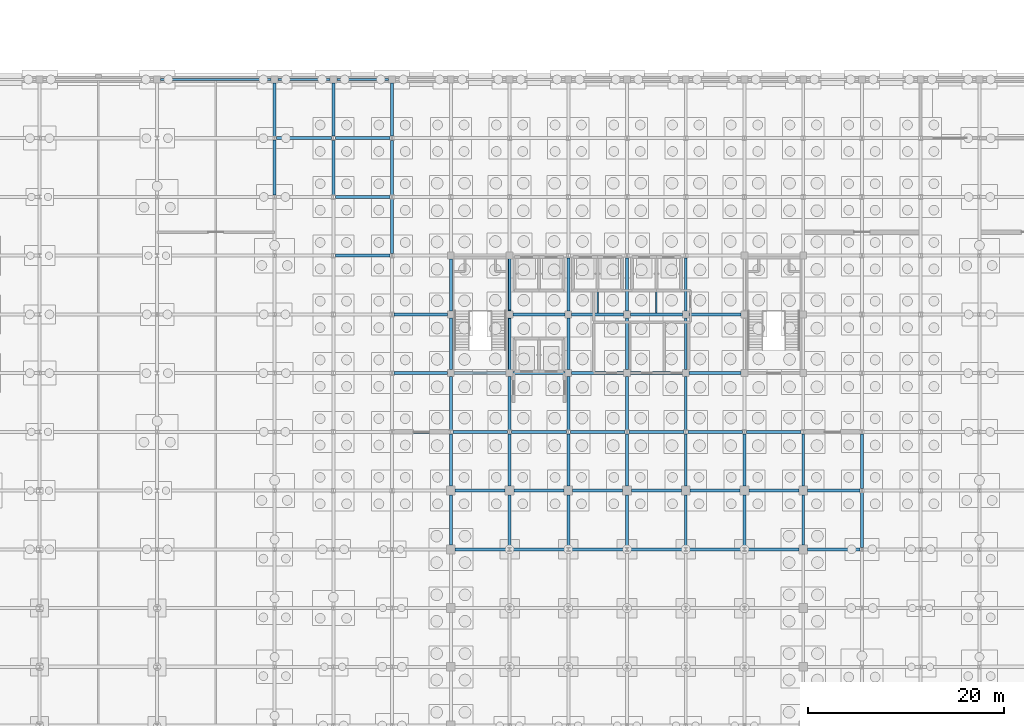
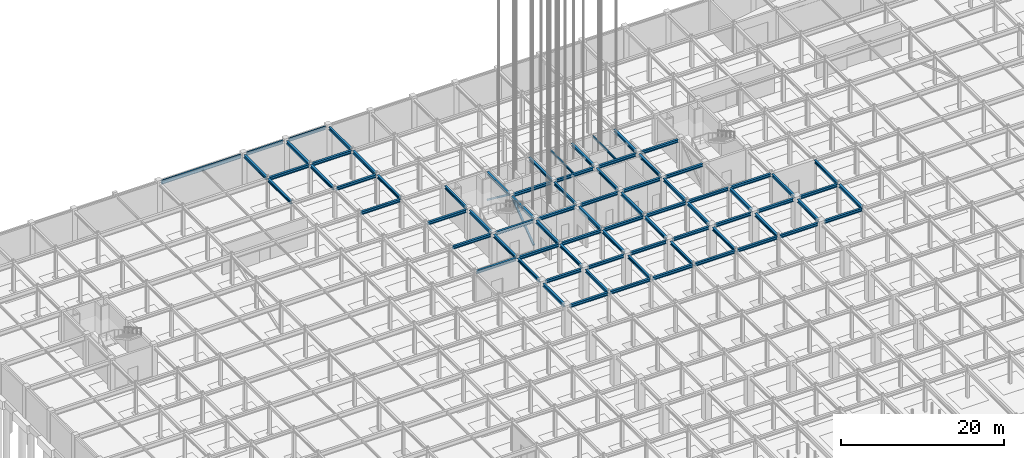
# One storey, part 38 of 69: 79 beams, 2 members.
"""IFC4 building model written with IfcOpenShell, lengths in metres."""

from ifc_helpers import new_model, si_unit, direction, frame, origin, origin_2d, place, context, subcontext, project, spatial, hollow_rectangle, i_section, extrude, material, material_profile, profile_set, type_object, element, save


model = new_model("IFC4")

# Units and contexts
model_context = context("Model", 3, precision=1e-05, world=origin(), true_north=direction((0.0, 1.0)))
body_context = subcontext(model_context, "Body", "Model", "MODEL_VIEW")
ifc_project = project(units=[si_unit("LENGTHUNIT", "METRE"), si_unit("AREAUNIT", "SQUARE_METRE"), si_unit("VOLUMEUNIT", "CUBIC_METRE"), si_unit("PLANEANGLEUNIT", "RADIAN"), si_unit("MASSUNIT", "GRAM", prefix="KILO")], contexts=[model_context])

# Site, building, storey
site_placement = place(None, origin())
site = spatial("IfcSite", under=ifc_project, at=site_placement, CompositionType="ELEMENT")
building_placement = place(site_placement, origin())
building = spatial("IfcBuilding", under=site, at=building_placement, Name="Zlatovratsky Civic Hall", CompositionType="ELEMENT")
storey_placement = place(building_placement, frame((0.0, 0.0, -4.800048828125)))
storey = spatial("IfcBuildingStorey", under=building, at=storey_placement, Name="B1", CompositionType="ELEMENT", Elevation=-4.800048828125)

# Beams
ifc_material = material(Name="Steel S355", Category="steel")
ifc_material_profile_1 = material_profile(ifc_material, i_section(OverallWidth=0.198974609375, OverallDepth=0.491943359375, WebThickness=0.0087890625, FlangeThickness=0.011962890625, FilletRadius=0.01611328125, at=origin_2d()), Name="50B1")
ifc_profile_set_1 = profile_set([ifc_material_profile_1], Name="Steel S355")
beam_type_1 = type_object("IfcBeamType", Name="Beam_Spandrel_50B1", PredefinedType="SPANDREL", material=ifc_profile_set_1)
for number, where, z_axis, x_axis, name in (
    (1, (48.35009765625, 114.0, 4.234130859375), (1.0, 0.0, 0.0), (0.0, 1.0, 0.0), "BM-0366"),
    (2, (54.35009765625, 114.0, 4.234130859375), (1.0, 0.0, 0.0), (0.0, 1.0, 0.0), "BM-0367"),
):
    element("IfcBeam", number, at=place(storey_placement, frame(where, z_axis=z_axis, x_axis=x_axis)), inside=storey, type_object=beam_type_1, Name=name, PredefinedType="SPANDREL", context=body_context, shape_type="SweptSolid", body=[
        extrude(i_section(OverallWidth=0.198974609375, OverallDepth=0.491943359375, WebThickness=0.0087890625, FlangeThickness=0.011962890625, FilletRadius=0.01611328125, at=origin_2d()), origin(), (0.0, 0.0, 1.0), 5.2998046875),
    ])
ifc_material_profile_2 = material_profile(ifc_material, i_section(OverallWidth=0.198974609375, OverallDepth=0.593017578125, WebThickness=0.010498046875, FlangeThickness=0.014892578125, FilletRadius=0.01806640625, at=origin_2d()), Name="60B1")
ifc_profile_set_2 = profile_set([ifc_material_profile_2], Name="Steel S355")
beam_type_2 = type_object("IfcBeamType", Name="Beam_Spandrel_60B1", PredefinedType="SPANDREL", material=ifc_profile_set_2)
beam_1_placement = place(storey_placement, frame((36.35009765625, 114.0, 4.18359375), z_axis=(1.0, 0.0, 0.0), x_axis=(0.0, 1.0, 0.0)))
element("IfcBeam", 3, at=beam_1_placement, inside=storey, type_object=beam_type_2, Name="BM-0365", PredefinedType="SPANDREL", context=body_context, shape_type="SweptSolid", body=[
    extrude(i_section(OverallWidth=0.198974609375, OverallDepth=0.593017578125, WebThickness=0.010498046875, FlangeThickness=0.014892578125, FilletRadius=0.01806640625, at=origin_2d()), origin(), (0.0, 0.0, 1.0), 11.2998046875),
])
ifc_material_profile_3 = material_profile(ifc_material, i_section(OverallWidth=0.300048828125, OverallDepth=0.43994140625, WebThickness=0.010986328125, FlangeThickness=0.01806640625, FilletRadius=0.02197265625, at=origin_2d()), Name="45Sh1")
ifc_profile_set_3 = profile_set([ifc_material_profile_3], Name="Steel S355")
beam_type_3 = type_object("IfcBeamType", Name="Beam_TowerLow_45Sh1", PredefinedType="BEAM", material=ifc_profile_set_3)
beam_2_placement = place(storey_placement, frame((66.449951171875, 66.0, 4.260009765625), z_axis=(1.0, 0.0, 0.0), x_axis=(0.0, 1.0, 0.0)))
element("IfcBeam", 4, at=beam_2_placement, inside=storey, type_object=beam_type_3, Name="BM-0197", PredefinedType="BEAM", context=body_context, shape_type="SweptSolid", body=[
    extrude(i_section(OverallWidth=0.300048828125, OverallDepth=0.43994140625, WebThickness=0.010986328125, FlangeThickness=0.01806640625, FilletRadius=0.02197265625, at=origin_2d()), origin(), (0.0, 0.0, 1.0), 5.375),
])
for number, where, z_axis, x_axis, name in (
    (5, (72.175048828125, 66.0, 4.260009765625), (1.0, 0.0, 0.0), (0.0, 1.0, 0.0), "BM-0198"),
    (6, (78.175048828125, 66.0, 4.260009765625), (1.0, 0.0, 0.0), (0.0, 1.0, 0.0), "BM-0199"),
    (7, (84.175048828125, 66.0, 4.260009765625), (1.0, 0.0, 0.0), (0.0, 1.0, 0.0), "BM-0200"),
    (8, (90.175048828125, 66.0, 4.260009765625), (1.0, 0.0, 0.0), (0.0, 1.0, 0.0), "BM-0201"),
):
    element("IfcBeam", number, at=place(storey_placement, frame(where, z_axis=z_axis, x_axis=x_axis)), inside=storey, type_object=beam_type_3, Name=name, PredefinedType="BEAM", context=body_context, shape_type="SweptSolid", body=[
        extrude(i_section(OverallWidth=0.300048828125, OverallDepth=0.43994140625, WebThickness=0.010986328125, FlangeThickness=0.01806640625, FilletRadius=0.02197265625, at=origin_2d()), origin(), (0.0, 0.0, 1.0), 5.64990234375),
    ])
for number, where, z_axis, x_axis, name in (
    (9, (96.175048828125, 66.0, 4.260009765625), (1.0, 0.0, 0.0), (0.0, 1.0, 0.0), "BM-0202"),
    (10, (102.449951171875, 66.0, 4.260009765625), (1.0, 0.0, 0.0), (0.0, 1.0, 0.0), "BM-0203"),
):
    element("IfcBeam", number, at=place(storey_placement, frame(where, z_axis=z_axis, x_axis=x_axis)), inside=storey, type_object=beam_type_3, Name=name, PredefinedType="BEAM", context=body_context, shape_type="SweptSolid", body=[
        extrude(i_section(OverallWidth=0.300048828125, OverallDepth=0.43994140625, WebThickness=0.010986328125, FlangeThickness=0.01806640625, FilletRadius=0.02197265625, at=origin_2d()), origin(), (0.0, 0.0, 1.0), 5.375),
    ])
for number, where, z_axis, x_axis, name in (
    (11, (66.449951171875, 72.0, 4.260009765625), (1.0, 0.0, 0.0), (0.0, 1.0, 0.0), "BM-0219"),
    (12, (72.449951171875, 72.0, 4.260009765625), (1.0, 0.0, 0.0), (0.0, 1.0, 0.0), "BM-0220"),
    (13, (78.449951171875, 72.0, 4.260009765625), (1.0, 0.0, 0.0), (0.0, 1.0, 0.0), "BM-0221"),
    (14, (84.449951171875, 72.0, 4.260009765625), (1.0, 0.0, 0.0), (0.0, 1.0, 0.0), "BM-0222"),
    (15, (90.449951171875, 72.0, 4.260009765625), (1.0, 0.0, 0.0), (0.0, 1.0, 0.0), "BM-0223"),
    (16, (96.449951171875, 72.0, 4.260009765625), (1.0, 0.0, 0.0), (0.0, 1.0, 0.0), "BM-0224"),
):
    element("IfcBeam", number, at=place(storey_placement, frame(where, z_axis=z_axis, x_axis=x_axis)), inside=storey, type_object=beam_type_3, Name=name, PredefinedType="BEAM", context=body_context, shape_type="SweptSolid", body=[
        extrude(i_section(OverallWidth=0.300048828125, OverallDepth=0.43994140625, WebThickness=0.010986328125, FlangeThickness=0.01806640625, FilletRadius=0.02197265625, at=origin_2d()), origin(), (0.0, 0.0, 1.0), 5.10009765625),
    ])
beam_3_placement = place(storey_placement, frame((102.449951171875, 72.0, 4.260009765625), z_axis=(1.0, 0.0, 0.0), x_axis=(0.0, 1.0, 0.0)))
element("IfcBeam", 17, at=beam_3_placement, inside=storey, type_object=beam_type_3, Name="BM-0225", PredefinedType="BEAM", context=body_context, shape_type="SweptSolid", body=[
    extrude(i_section(OverallWidth=0.300048828125, OverallDepth=0.43994140625, WebThickness=0.010986328125, FlangeThickness=0.01806640625, FilletRadius=0.02197265625, at=origin_2d()), origin(), (0.0, 0.0, 1.0), 5.345458984375),
])
for number, where, z_axis, x_axis, name in (
    (18, (60.20458984375, 78.0, 4.260009765625), (1.0, 0.0, 0.0), (0.0, 1.0, 0.0), "BM-0240"),
    (19, (66.20458984375, 78.0, 4.260009765625), (1.0, 0.0, 0.0), (0.0, 1.0, 0.0), "BM-0241"),
    (20, (72.20458984375, 78.0, 4.260009765625), (1.0, 0.0, 0.0), (0.0, 1.0, 0.0), "BM-0242"),
    (21, (78.20458984375, 78.0, 4.260009765625), (1.0, 0.0, 0.0), (0.0, 1.0, 0.0), "BM-0243"),
    (22, (84.20458984375, 78.0, 4.260009765625), (1.0, 0.0, 0.0), (0.0, 1.0, 0.0), "BM-0244"),
    (23, (90.20458984375, 78.0, 4.260009765625), (1.0, 0.0, 0.0), (0.0, 1.0, 0.0), "BM-0245"),
    (24, (96.20458984375, 78.0, 4.260009765625), (1.0, 0.0, 0.0), (0.0, 1.0, 0.0), "BM-0246"),
):
    element("IfcBeam", number, at=place(storey_placement, frame(where, z_axis=z_axis, x_axis=x_axis)), inside=storey, type_object=beam_type_3, Name=name, PredefinedType="BEAM", context=body_context, shape_type="SweptSolid", body=[
        extrude(i_section(OverallWidth=0.300048828125, OverallDepth=0.43994140625, WebThickness=0.010986328125, FlangeThickness=0.01806640625, FilletRadius=0.02197265625, at=origin_2d()), origin(), (0.0, 0.0, 1.0), 5.5908203125),
    ])
beam_4_placement = place(storey_placement, frame((60.20458984375, 84.0, 4.260009765625), z_axis=(1.0, 0.0, 0.0), x_axis=(0.0, 1.0, 0.0)))
element("IfcBeam", 25, at=beam_4_placement, inside=storey, type_object=beam_type_3, Name="BM-0262", PredefinedType="BEAM", context=body_context, shape_type="SweptSolid", body=[
    extrude(i_section(OverallWidth=0.300048828125, OverallDepth=0.43994140625, WebThickness=0.010986328125, FlangeThickness=0.01806640625, FilletRadius=0.02197265625, at=origin_2d()), origin(), (0.0, 0.0, 1.0), 5.4453125),
])
for number, where, z_axis, x_axis, name in (
    (26, (66.35009765625, 84.0, 4.260009765625), (1.0, 0.0, 0.0), (0.0, 1.0, 0.0), "BM-0263"),
    (27, (72.35009765625, 84.0, 4.260009765625), (1.0, 0.0, 0.0), (0.0, 1.0, 0.0), "BM-0264"),
    (28, (78.35009765625, 84.0, 4.260009765625), (1.0, 0.0, 0.0), (0.0, 1.0, 0.0), "BM-0265"),
    (29, (84.35009765625, 84.0, 4.260009765625), (1.0, 0.0, 0.0), (0.0, 1.0, 0.0), "BM-0266"),
    (30, (90.35009765625, 84.0, 4.260009765625), (1.0, 0.0, 0.0), (0.0, 1.0, 0.0), "BM-0267"),
):
    element("IfcBeam", number, at=place(storey_placement, frame(where, z_axis=z_axis, x_axis=x_axis)), inside=storey, type_object=beam_type_3, Name=name, PredefinedType="BEAM", context=body_context, shape_type="SweptSolid", body=[
        extrude(i_section(OverallWidth=0.300048828125, OverallDepth=0.43994140625, WebThickness=0.010986328125, FlangeThickness=0.01806640625, FilletRadius=0.02197265625, at=origin_2d()), origin(), (0.0, 0.0, 1.0), 5.2998046875),
    ])
beam_5_placement = place(storey_placement, frame((60.20458984375, 90.0, 4.260009765625), z_axis=(1.0, 0.0, 0.0), x_axis=(0.0, 1.0, 0.0)))
element("IfcBeam", 31, at=beam_5_placement, inside=storey, type_object=beam_type_3, Name="BM-0283", PredefinedType="BEAM", context=body_context, shape_type="SweptSolid", body=[
    extrude(i_section(OverallWidth=0.300048828125, OverallDepth=0.43994140625, WebThickness=0.010986328125, FlangeThickness=0.01806640625, FilletRadius=0.02197265625, at=origin_2d()), origin(), (0.0, 0.0, 1.0), 5.4453125),
])
for number, where, z_axis, x_axis, name in (
    (32, (72.35009765625, 90.0, 4.260009765625), (1.0, 0.0, 0.0), (0.0, 1.0, 0.0), "BM-0284"),
    (33, (78.35009765625, 90.0, 4.260009765625), (1.0, 0.0, 0.0), (0.0, 1.0, 0.0), "BM-0285"),
    (34, (84.35009765625, 90.0, 4.260009765625), (1.0, 0.0, 0.0), (0.0, 1.0, 0.0), "BM-0286"),
    (35, (90.35009765625, 90.0, 4.260009765625), (1.0, 0.0, 0.0), (0.0, 1.0, 0.0), "BM-0287"),
):
    element("IfcBeam", number, at=place(storey_placement, frame(where, z_axis=z_axis, x_axis=x_axis)), inside=storey, type_object=beam_type_3, Name=name, PredefinedType="BEAM", context=body_context, shape_type="SweptSolid", body=[
        extrude(i_section(OverallWidth=0.300048828125, OverallDepth=0.43994140625, WebThickness=0.010986328125, FlangeThickness=0.01806640625, FilletRadius=0.02197265625, at=origin_2d()), origin(), (0.0, 0.0, 1.0), 5.2998046875),
    ])
for number, where, z_axis, x_axis, name in (
    (36, (54.20458984375, 96.0, 4.260009765625), (1.0, 0.0, 0.0), (0.0, 1.0, 0.0), "BM-0301"),
    (37, (54.20458984375, 102.0, 4.260009765625), (1.0, 0.0, 0.0), (0.0, 1.0, 0.0), "BM-0323"),
):
    element("IfcBeam", number, at=place(storey_placement, frame(where, z_axis=z_axis, x_axis=x_axis)), inside=storey, type_object=beam_type_3, Name=name, PredefinedType="BEAM", context=body_context, shape_type="SweptSolid", body=[
        extrude(i_section(OverallWidth=0.300048828125, OverallDepth=0.43994140625, WebThickness=0.010986328125, FlangeThickness=0.01806640625, FilletRadius=0.02197265625, at=origin_2d()), origin(), (0.0, 0.0, 1.0), 5.5908203125),
    ])
beam_6_placement = place(storey_placement, frame((48.175048828125, 108.0, 4.260009765625), z_axis=(1.0, 0.0, 0.0), x_axis=(0.0, 1.0, 0.0)))
element("IfcBeam", 38, at=beam_6_placement, inside=storey, type_object=beam_type_3, Name="BM-0344", PredefinedType="BEAM", context=body_context, shape_type="SweptSolid", body=[
    extrude(i_section(OverallWidth=0.300048828125, OverallDepth=0.43994140625, WebThickness=0.010986328125, FlangeThickness=0.01806640625, FilletRadius=0.02197265625, at=origin_2d()), origin(), (0.0, 0.0, 1.0), 5.620361328125),
])
beam_7_placement = place(storey_placement, frame((54.20458984375, 108.0, 4.260009765625), z_axis=(1.0, 0.0, 0.0), x_axis=(0.0, 1.0, 0.0)))
element("IfcBeam", 39, at=beam_7_placement, inside=storey, type_object=beam_type_3, Name="BM-0345", PredefinedType="BEAM", context=body_context, shape_type="SweptSolid", body=[
    extrude(i_section(OverallWidth=0.300048828125, OverallDepth=0.43994140625, WebThickness=0.010986328125, FlangeThickness=0.01806640625, FilletRadius=0.02197265625, at=origin_2d()), origin(), (0.0, 0.0, 1.0), 5.5908203125),
])
beam_8_placement = place(storey_placement, frame((48.0, 102.175048828125, 4.260009765625), z_axis=(0.0, 1.0, 0.0), x_axis=(-1.0, 0.0, 0.0)))
element("IfcBeam", 40, at=beam_8_placement, inside=storey, type_object=beam_type_3, Name="BM-0483", PredefinedType="BEAM", context=body_context, shape_type="SweptSolid", body=[
    extrude(i_section(OverallWidth=0.300048828125, OverallDepth=0.43994140625, WebThickness=0.010986328125, FlangeThickness=0.01806640625, FilletRadius=0.02197265625, at=origin_2d()), origin(), (0.0, 0.0, 1.0), 5.64990234375),
])
beam_9_placement = place(storey_placement, frame((48.0, 108.175048828125, 4.260009765625), z_axis=(0.0, 1.0, 0.0), x_axis=(-1.0, 0.0, 0.0)))
element("IfcBeam", 41, at=beam_9_placement, inside=storey, type_object=beam_type_3, Name="BM-0484", PredefinedType="BEAM", context=body_context, shape_type="SweptSolid", body=[
    extrude(i_section(OverallWidth=0.300048828125, OverallDepth=0.43994140625, WebThickness=0.010986328125, FlangeThickness=0.01806640625, FilletRadius=0.02197265625, at=origin_2d()), origin(), (0.0, 0.0, 1.0), 5.474853515625),
])
beam_10_placement = place(storey_placement, frame((54.0, 102.214599609375, 4.260009765625), z_axis=(0.0, 1.0, 0.0), x_axis=(-1.0, 0.0, 0.0)))
element("IfcBeam", 42, at=beam_10_placement, inside=storey, type_object=beam_type_3, Name="BM-0500", PredefinedType="BEAM", context=body_context, shape_type="SweptSolid", body=[
    extrude(i_section(OverallWidth=0.300048828125, OverallDepth=0.43994140625, WebThickness=0.010986328125, FlangeThickness=0.01806640625, FilletRadius=0.02197265625, at=origin_2d()), origin(), (0.0, 0.0, 1.0), 5.57080078125),
])
beam_11_placement = place(storey_placement, frame((54.0, 108.214599609375, 4.260009765625), z_axis=(0.0, 1.0, 0.0), x_axis=(-1.0, 0.0, 0.0)))
element("IfcBeam", 43, at=beam_11_placement, inside=storey, type_object=beam_type_3, Name="BM-0501", PredefinedType="BEAM", context=body_context, shape_type="SweptSolid", body=[
    extrude(i_section(OverallWidth=0.300048828125, OverallDepth=0.43994140625, WebThickness=0.010986328125, FlangeThickness=0.01806640625, FilletRadius=0.02197265625, at=origin_2d()), origin(), (0.0, 0.0, 1.0), 5.435302734375),
])
for number, where, z_axis, x_axis, name in (
    (44, (60.0, 96.214599609375, 4.260009765625), (0.0, 1.0, 0.0), (-1.0, 0.0, 0.0), "BM-0515"),
    (45, (60.0, 102.214599609375, 4.260009765625), (0.0, 1.0, 0.0), (-1.0, 0.0, 0.0), "BM-0516"),
):
    element("IfcBeam", number, at=place(storey_placement, frame(where, z_axis=z_axis, x_axis=x_axis)), inside=storey, type_object=beam_type_3, Name=name, PredefinedType="BEAM", context=body_context, shape_type="SweptSolid", body=[
        extrude(i_section(OverallWidth=0.300048828125, OverallDepth=0.43994140625, WebThickness=0.010986328125, FlangeThickness=0.01806640625, FilletRadius=0.02197265625, at=origin_2d()), origin(), (0.0, 0.0, 1.0), 5.57080078125),
    ])
beam_12_placement = place(storey_placement, frame((60.0, 108.214599609375, 4.260009765625), z_axis=(0.0, 1.0, 0.0), x_axis=(-1.0, 0.0, 0.0)))
element("IfcBeam", 46, at=beam_12_placement, inside=storey, type_object=beam_type_3, Name="BM-0517", PredefinedType="BEAM", context=body_context, shape_type="SweptSolid", body=[
    extrude(i_section(OverallWidth=0.300048828125, OverallDepth=0.43994140625, WebThickness=0.010986328125, FlangeThickness=0.01806640625, FilletRadius=0.02197265625, at=origin_2d()), origin(), (0.0, 0.0, 1.0), 5.435302734375),
])
beam_13_placement = place(storey_placement, frame((66.0, 66.449951171875, 4.260009765625), z_axis=(0.0, 1.0, 0.0), x_axis=(-1.0, 0.0, 0.0)))
element("IfcBeam", 47, at=beam_13_placement, inside=storey, type_object=beam_type_3, Name="BM-0526", PredefinedType="BEAM", context=body_context, shape_type="SweptSolid", body=[
    extrude(i_section(OverallWidth=0.300048828125, OverallDepth=0.43994140625, WebThickness=0.010986328125, FlangeThickness=0.01806640625, FilletRadius=0.02197265625, at=origin_2d()), origin(), (0.0, 0.0, 1.0), 5.10009765625),
])
beam_14_placement = place(storey_placement, frame((66.0, 72.449951171875, 4.260009765625), z_axis=(0.0, 1.0, 0.0), x_axis=(-1.0, 0.0, 0.0)))
element("IfcBeam", 48, at=beam_14_placement, inside=storey, type_object=beam_type_3, Name="BM-0527", PredefinedType="BEAM", context=body_context, shape_type="SweptSolid", body=[
    extrude(i_section(OverallWidth=0.300048828125, OverallDepth=0.43994140625, WebThickness=0.010986328125, FlangeThickness=0.01806640625, FilletRadius=0.02197265625, at=origin_2d()), origin(), (0.0, 0.0, 1.0), 5.33544921875),
])
beam_15_placement = place(storey_placement, frame((66.0, 78.214599609375, 4.260009765625), z_axis=(0.0, 1.0, 0.0), x_axis=(-1.0, 0.0, 0.0)))
element("IfcBeam", 49, at=beam_15_placement, inside=storey, type_object=beam_type_3, Name="BM-0528", PredefinedType="BEAM", context=body_context, shape_type="SweptSolid", body=[
    extrude(i_section(OverallWidth=0.300048828125, OverallDepth=0.43994140625, WebThickness=0.010986328125, FlangeThickness=0.01806640625, FilletRadius=0.02197265625, at=origin_2d()), origin(), (0.0, 0.0, 1.0), 5.435302734375),
])
for number, where, z_axis, x_axis, name in (
    (50, (66.0, 84.35009765625, 4.260009765625), (0.0, 1.0, 0.0), (-1.0, 0.0, 0.0), "BM-0529"),
    (51, (66.0, 90.35009765625, 4.260009765625), (0.0, 1.0, 0.0), (-1.0, 0.0, 0.0), "BM-0530"),
):
    element("IfcBeam", number, at=place(storey_placement, frame(where, z_axis=z_axis, x_axis=x_axis)), inside=storey, type_object=beam_type_3, Name=name, PredefinedType="BEAM", context=body_context, shape_type="SweptSolid", body=[
        extrude(i_section(OverallWidth=0.300048828125, OverallDepth=0.43994140625, WebThickness=0.010986328125, FlangeThickness=0.01806640625, FilletRadius=0.02197265625, at=origin_2d()), origin(), (0.0, 0.0, 1.0), 5.2998046875),
    ])
beam_16_placement = place(storey_placement, frame((72.0, 66.175048828125, 4.260009765625), z_axis=(0.0, 1.0, 0.0), x_axis=(-1.0, 0.0, 0.0)))
element("IfcBeam", 52, at=beam_16_placement, inside=storey, type_object=beam_type_3, Name="BM-0542", PredefinedType="BEAM", context=body_context, shape_type="SweptSolid", body=[
    extrude(i_section(OverallWidth=0.300048828125, OverallDepth=0.43994140625, WebThickness=0.010986328125, FlangeThickness=0.01806640625, FilletRadius=0.02197265625, at=origin_2d()), origin(), (0.0, 0.0, 1.0), 5.375),
])
beam_17_placement = place(storey_placement, frame((72.0, 72.449951171875, 4.260009765625), z_axis=(0.0, 1.0, 0.0), x_axis=(-1.0, 0.0, 0.0)))
element("IfcBeam", 53, at=beam_17_placement, inside=storey, type_object=beam_type_3, Name="BM-0543", PredefinedType="BEAM", context=body_context, shape_type="SweptSolid", body=[
    extrude(i_section(OverallWidth=0.300048828125, OverallDepth=0.43994140625, WebThickness=0.010986328125, FlangeThickness=0.01806640625, FilletRadius=0.02197265625, at=origin_2d()), origin(), (0.0, 0.0, 1.0), 5.33544921875),
])
beam_18_placement = place(storey_placement, frame((72.0, 78.214599609375, 4.260009765625), z_axis=(0.0, 1.0, 0.0), x_axis=(-1.0, 0.0, 0.0)))
element("IfcBeam", 54, at=beam_18_placement, inside=storey, type_object=beam_type_3, Name="BM-0544", PredefinedType="BEAM", context=body_context, shape_type="SweptSolid", body=[
    extrude(i_section(OverallWidth=0.300048828125, OverallDepth=0.43994140625, WebThickness=0.010986328125, FlangeThickness=0.01806640625, FilletRadius=0.02197265625, at=origin_2d()), origin(), (0.0, 0.0, 1.0), 5.435302734375),
])
for number, where, z_axis, x_axis, name in (
    (55, (72.0, 84.35009765625, 4.260009765625), (0.0, 1.0, 0.0), (-1.0, 0.0, 0.0), "BM-0545"),
    (56, (72.0, 90.35009765625, 4.260009765625), (0.0, 1.0, 0.0), (-1.0, 0.0, 0.0), "BM-0546"),
):
    element("IfcBeam", number, at=place(storey_placement, frame(where, z_axis=z_axis, x_axis=x_axis)), inside=storey, type_object=beam_type_3, Name=name, PredefinedType="BEAM", context=body_context, shape_type="SweptSolid", body=[
        extrude(i_section(OverallWidth=0.300048828125, OverallDepth=0.43994140625, WebThickness=0.010986328125, FlangeThickness=0.01806640625, FilletRadius=0.02197265625, at=origin_2d()), origin(), (0.0, 0.0, 1.0), 5.2998046875),
    ])
beam_19_placement = place(storey_placement, frame((78.0, 66.175048828125, 4.260009765625), z_axis=(0.0, 1.0, 0.0), x_axis=(-1.0, 0.0, 0.0)))
element("IfcBeam", 57, at=beam_19_placement, inside=storey, type_object=beam_type_3, Name="BM-0558", PredefinedType="BEAM", context=body_context, shape_type="SweptSolid", body=[
    extrude(i_section(OverallWidth=0.300048828125, OverallDepth=0.43994140625, WebThickness=0.010986328125, FlangeThickness=0.01806640625, FilletRadius=0.02197265625, at=origin_2d()), origin(), (0.0, 0.0, 1.0), 5.375),
])
beam_20_placement = place(storey_placement, frame((78.0, 72.449951171875, 4.260009765625), z_axis=(0.0, 1.0, 0.0), x_axis=(-1.0, 0.0, 0.0)))
element("IfcBeam", 58, at=beam_20_placement, inside=storey, type_object=beam_type_3, Name="BM-0559", PredefinedType="BEAM", context=body_context, shape_type="SweptSolid", body=[
    extrude(i_section(OverallWidth=0.300048828125, OverallDepth=0.43994140625, WebThickness=0.010986328125, FlangeThickness=0.01806640625, FilletRadius=0.02197265625, at=origin_2d()), origin(), (0.0, 0.0, 1.0), 5.33544921875),
])
beam_21_placement = place(storey_placement, frame((78.0, 78.214599609375, 4.260009765625), z_axis=(0.0, 1.0, 0.0), x_axis=(-1.0, 0.0, 0.0)))
element("IfcBeam", 59, at=beam_21_placement, inside=storey, type_object=beam_type_3, Name="BM-0560", PredefinedType="BEAM", context=body_context, shape_type="SweptSolid", body=[
    extrude(i_section(OverallWidth=0.300048828125, OverallDepth=0.43994140625, WebThickness=0.010986328125, FlangeThickness=0.01806640625, FilletRadius=0.02197265625, at=origin_2d()), origin(), (0.0, 0.0, 1.0), 5.435302734375),
])
beam_22_placement = place(storey_placement, frame((78.0, 84.35009765625, 4.260009765625), z_axis=(0.0, 1.0, 0.0), x_axis=(-1.0, 0.0, 0.0)))
element("IfcBeam", 60, at=beam_22_placement, inside=storey, type_object=beam_type_3, Name="BM-0561", PredefinedType="BEAM", context=body_context, shape_type="SweptSolid", body=[
    extrude(i_section(OverallWidth=0.300048828125, OverallDepth=0.43994140625, WebThickness=0.010986328125, FlangeThickness=0.01806640625, FilletRadius=0.02197265625, at=origin_2d()), origin(), (0.0, 0.0, 1.0), 5.2998046875),
])
beam_23_placement = place(storey_placement, frame((78.0, 90.35009765625, 4.260009765625), z_axis=(0.0, 1.0, 0.0), x_axis=(-1.0, 0.0, 0.0)))
element("IfcBeam", 61, at=beam_23_placement, inside=storey, type_object=beam_type_3, Name="BM-0562", PredefinedType="BEAM", context=body_context, shape_type="SweptSolid", body=[
    extrude(i_section(OverallWidth=0.300048828125, OverallDepth=0.43994140625, WebThickness=0.010986328125, FlangeThickness=0.01806640625, FilletRadius=0.02197265625, at=origin_2d()), origin(), (0.0, 0.0, 1.0), 5.435302734375),
])
beam_24_placement = place(storey_placement, frame((84.0, 66.175048828125, 4.260009765625), z_axis=(0.0, 1.0, 0.0), x_axis=(-1.0, 0.0, 0.0)))
element("IfcBeam", 62, at=beam_24_placement, inside=storey, type_object=beam_type_3, Name="BM-0574", PredefinedType="BEAM", context=body_context, shape_type="SweptSolid", body=[
    extrude(i_section(OverallWidth=0.300048828125, OverallDepth=0.43994140625, WebThickness=0.010986328125, FlangeThickness=0.01806640625, FilletRadius=0.02197265625, at=origin_2d()), origin(), (0.0, 0.0, 1.0), 5.375),
])
beam_25_placement = place(storey_placement, frame((84.0, 72.449951171875, 4.260009765625), z_axis=(0.0, 1.0, 0.0), x_axis=(-1.0, 0.0, 0.0)))
element("IfcBeam", 63, at=beam_25_placement, inside=storey, type_object=beam_type_3, Name="BM-0575", PredefinedType="BEAM", context=body_context, shape_type="SweptSolid", body=[
    extrude(i_section(OverallWidth=0.300048828125, OverallDepth=0.43994140625, WebThickness=0.010986328125, FlangeThickness=0.01806640625, FilletRadius=0.02197265625, at=origin_2d()), origin(), (0.0, 0.0, 1.0), 5.33544921875),
])
beam_26_placement = place(storey_placement, frame((84.0, 78.214599609375, 4.260009765625), z_axis=(0.0, 1.0, 0.0), x_axis=(-1.0, 0.0, 0.0)))
element("IfcBeam", 64, at=beam_26_placement, inside=storey, type_object=beam_type_3, Name="BM-0576", PredefinedType="BEAM", context=body_context, shape_type="SweptSolid", body=[
    extrude(i_section(OverallWidth=0.300048828125, OverallDepth=0.43994140625, WebThickness=0.010986328125, FlangeThickness=0.01806640625, FilletRadius=0.02197265625, at=origin_2d()), origin(), (0.0, 0.0, 1.0), 5.435302734375),
])
beam_27_placement = place(storey_placement, frame((84.0, 84.35009765625, 4.260009765625), z_axis=(0.0, 1.0, 0.0), x_axis=(-1.0, 0.0, 0.0)))
element("IfcBeam", 65, at=beam_27_placement, inside=storey, type_object=beam_type_3, Name="BM-0577", PredefinedType="BEAM", context=body_context, shape_type="SweptSolid", body=[
    extrude(i_section(OverallWidth=0.300048828125, OverallDepth=0.43994140625, WebThickness=0.010986328125, FlangeThickness=0.01806640625, FilletRadius=0.02197265625, at=origin_2d()), origin(), (0.0, 0.0, 1.0), 5.2998046875),
])
beam_28_placement = place(storey_placement, frame((84.0, 90.35009765625, 4.260009765625), z_axis=(0.0, 1.0, 0.0), x_axis=(-1.0, 0.0, 0.0)))
element("IfcBeam", 66, at=beam_28_placement, inside=storey, type_object=beam_type_3, Name="BM-0578", PredefinedType="BEAM", context=body_context, shape_type="SweptSolid", body=[
    extrude(i_section(OverallWidth=0.300048828125, OverallDepth=0.43994140625, WebThickness=0.010986328125, FlangeThickness=0.01806640625, FilletRadius=0.02197265625, at=origin_2d()), origin(), (0.0, 0.0, 1.0), 5.435302734375),
])
beam_29_placement = place(storey_placement, frame((90.0, 66.175048828125, 4.260009765625), z_axis=(0.0, 1.0, 0.0), x_axis=(-1.0, 0.0, 0.0)))
element("IfcBeam", 67, at=beam_29_placement, inside=storey, type_object=beam_type_3, Name="BM-0590", PredefinedType="BEAM", context=body_context, shape_type="SweptSolid", body=[
    extrude(i_section(OverallWidth=0.300048828125, OverallDepth=0.43994140625, WebThickness=0.010986328125, FlangeThickness=0.01806640625, FilletRadius=0.02197265625, at=origin_2d()), origin(), (0.0, 0.0, 1.0), 5.375),
])
beam_30_placement = place(storey_placement, frame((90.0, 72.449951171875, 4.260009765625), z_axis=(0.0, 1.0, 0.0), x_axis=(-1.0, 0.0, 0.0)))
element("IfcBeam", 68, at=beam_30_placement, inside=storey, type_object=beam_type_3, Name="BM-0591", PredefinedType="BEAM", context=body_context, shape_type="SweptSolid", body=[
    extrude(i_section(OverallWidth=0.300048828125, OverallDepth=0.43994140625, WebThickness=0.010986328125, FlangeThickness=0.01806640625, FilletRadius=0.02197265625, at=origin_2d()), origin(), (0.0, 0.0, 1.0), 5.33544921875),
])
beam_31_placement = place(storey_placement, frame((90.0, 78.214599609375, 4.260009765625), z_axis=(0.0, 1.0, 0.0), x_axis=(-1.0, 0.0, 0.0)))
element("IfcBeam", 69, at=beam_31_placement, inside=storey, type_object=beam_type_3, Name="BM-0592", PredefinedType="BEAM", context=body_context, shape_type="SweptSolid", body=[
    extrude(i_section(OverallWidth=0.300048828125, OverallDepth=0.43994140625, WebThickness=0.010986328125, FlangeThickness=0.01806640625, FilletRadius=0.02197265625, at=origin_2d()), origin(), (0.0, 0.0, 1.0), 5.435302734375),
])
beam_32_placement = place(storey_placement, frame((90.0, 84.35009765625, 4.260009765625), z_axis=(0.0, 1.0, 0.0), x_axis=(-1.0, 0.0, 0.0)))
element("IfcBeam", 70, at=beam_32_placement, inside=storey, type_object=beam_type_3, Name="BM-0593", PredefinedType="BEAM", context=body_context, shape_type="SweptSolid", body=[
    extrude(i_section(OverallWidth=0.300048828125, OverallDepth=0.43994140625, WebThickness=0.010986328125, FlangeThickness=0.01806640625, FilletRadius=0.02197265625, at=origin_2d()), origin(), (0.0, 0.0, 1.0), 5.2998046875),
])
beam_33_placement = place(storey_placement, frame((90.0, 90.35009765625, 4.260009765625), z_axis=(0.0, 1.0, 0.0), x_axis=(-1.0, 0.0, 0.0)))
element("IfcBeam", 71, at=beam_33_placement, inside=storey, type_object=beam_type_3, Name="BM-0594", PredefinedType="BEAM", context=body_context, shape_type="SweptSolid", body=[
    extrude(i_section(OverallWidth=0.300048828125, OverallDepth=0.43994140625, WebThickness=0.010986328125, FlangeThickness=0.01806640625, FilletRadius=0.02197265625, at=origin_2d()), origin(), (0.0, 0.0, 1.0), 5.435302734375),
])
beam_34_placement = place(storey_placement, frame((96.0, 66.175048828125, 4.260009765625), z_axis=(0.0, 1.0, 0.0), x_axis=(-1.0, 0.0, 0.0)))
element("IfcBeam", 72, at=beam_34_placement, inside=storey, type_object=beam_type_3, Name="BM-0606", PredefinedType="BEAM", context=body_context, shape_type="SweptSolid", body=[
    extrude(i_section(OverallWidth=0.300048828125, OverallDepth=0.43994140625, WebThickness=0.010986328125, FlangeThickness=0.01806640625, FilletRadius=0.02197265625, at=origin_2d()), origin(), (0.0, 0.0, 1.0), 5.375),
])
beam_35_placement = place(storey_placement, frame((96.0, 72.449951171875, 4.260009765625), z_axis=(0.0, 1.0, 0.0), x_axis=(-1.0, 0.0, 0.0)))
element("IfcBeam", 73, at=beam_35_placement, inside=storey, type_object=beam_type_3, Name="BM-0607", PredefinedType="BEAM", context=body_context, shape_type="SweptSolid", body=[
    extrude(i_section(OverallWidth=0.300048828125, OverallDepth=0.43994140625, WebThickness=0.010986328125, FlangeThickness=0.01806640625, FilletRadius=0.02197265625, at=origin_2d()), origin(), (0.0, 0.0, 1.0), 5.33544921875),
])
beam_36_placement = place(storey_placement, frame((102.0, 66.449951171875, 4.260009765625), z_axis=(0.0, 1.0, 0.0), x_axis=(-1.0, 0.0, 0.0)))
element("IfcBeam", 74, at=beam_36_placement, inside=storey, type_object=beam_type_3, Name="BM-0622", PredefinedType="BEAM", context=body_context, shape_type="SweptSolid", body=[
    extrude(i_section(OverallWidth=0.300048828125, OverallDepth=0.43994140625, WebThickness=0.010986328125, FlangeThickness=0.01806640625, FilletRadius=0.02197265625, at=origin_2d()), origin(), (0.0, 0.0, 1.0), 5.10009765625),
])
beam_37_placement = place(storey_placement, frame((102.0, 72.449951171875, 4.260009765625), z_axis=(0.0, 1.0, 0.0), x_axis=(-1.0, 0.0, 0.0)))
element("IfcBeam", 75, at=beam_37_placement, inside=storey, type_object=beam_type_3, Name="BM-0623", PredefinedType="BEAM", context=body_context, shape_type="SweptSolid", body=[
    extrude(i_section(OverallWidth=0.300048828125, OverallDepth=0.43994140625, WebThickness=0.010986328125, FlangeThickness=0.01806640625, FilletRadius=0.02197265625, at=origin_2d()), origin(), (0.0, 0.0, 1.0), 5.33544921875),
])
beam_38_placement = place(storey_placement, frame((108.0, 66.175048828125, 4.260009765625), z_axis=(0.0, 1.0, 0.0), x_axis=(-1.0, 0.0, 0.0)))
element("IfcBeam", 76, at=beam_38_placement, inside=storey, type_object=beam_type_3, Name="BM-0638", PredefinedType="BEAM", context=body_context, shape_type="SweptSolid", body=[
    extrude(i_section(OverallWidth=0.300048828125, OverallDepth=0.43994140625, WebThickness=0.010986328125, FlangeThickness=0.01806640625, FilletRadius=0.02197265625, at=origin_2d()), origin(), (0.0, 0.0, 1.0), 5.6103515625),
])
beam_39_placement = place(storey_placement, frame((108.0, 72.214599609375, 4.260009765625), z_axis=(0.0, 1.0, 0.0), x_axis=(-1.0, 0.0, 0.0)))
element("IfcBeam", 77, at=beam_39_placement, inside=storey, type_object=beam_type_3, Name="BM-0639", PredefinedType="BEAM", context=body_context, shape_type="SweptSolid", body=[
    extrude(i_section(OverallWidth=0.300048828125, OverallDepth=0.43994140625, WebThickness=0.010986328125, FlangeThickness=0.01806640625, FilletRadius=0.02197265625, at=origin_2d()), origin(), (0.0, 0.0, 1.0), 5.57080078125),
])

# Members
ifc_material_profile_4 = material_profile(ifc_material, hollow_rectangle(XDim=0.25, YDim=0.25, WallThickness=0.011962890625, at=origin_2d()), Name="SHS 250x250x12")
ifc_profile_set_4 = profile_set([ifc_material_profile_4], Name="Steel S355")
member_type = type_object("IfcMemberType", Name="Brace_Substructure_SHS250", PredefinedType="BRACE", material=ifc_profile_set_4)
for number, where, z_axis, x_axis, name in (
    (78, (72.0, 84.35009765625, 0.25), (0.0, 0.798178475646, 0.602421049612), (-1.0, 0.0, 0.0), "MB-0084"),
    (79, (72.0, 90.35009765625, 4.25), (0.0, 0.798178475646, -0.602421049612), (-1.0, 0.0, 0.0), "MB-0085"),
):
    element("IfcMember", number, at=place(storey_placement, frame(where, z_axis=z_axis, x_axis=x_axis)), inside=storey, type_object=member_type, Name=name, PredefinedType="BRACE", context=body_context, shape_type="SweptSolid", body=[
        extrude(hollow_rectangle(XDim=0.25, YDim=0.25, WallThickness=0.011962890625, at=origin_2d()), origin(), (0.0, 0.0, 1.0), 6.639892578125),
    ])

# Beams
ifc_material_profile_5 = material_profile(ifc_material, i_section(OverallWidth=0.14990234375, OverallDepth=0.300048828125, WebThickness=0.006591796875, FlangeThickness=0.009033203125, FilletRadius=0.012939453125, at=origin_2d()), Name="30B2")
ifc_profile_set_5 = profile_set([ifc_material_profile_5], Name="Steel S355")
beam_type_4 = type_object("IfcBeamType", Name="Joist_Podium_30B2", PredefinedType="JOIST", material=ifc_profile_set_5)
for number, where, z_axis, x_axis, name in (
    (80, (81.0, 90.14990234375, 4.330078125), (0.0, 1.0, 0.0), (-1.0, 0.0, 0.0), "BM-0846"),
    (81, (87.0, 90.14990234375, 4.330078125), (0.0, 1.0, 0.0), (-1.0, 0.0, 0.0), "BM-0847"),
):
    element("IfcBeam", number, at=place(storey_placement, frame(where, z_axis=z_axis, x_axis=x_axis)), inside=storey, type_object=beam_type_4, Name=name, PredefinedType="JOIST", context=body_context, shape_type="SweptSolid", body=[
        extrude(i_section(OverallWidth=0.14990234375, OverallDepth=0.300048828125, WebThickness=0.006591796875, FlangeThickness=0.009033203125, FilletRadius=0.012939453125, at=origin_2d()), origin(), (0.0, 0.0, 1.0), 5.7001953125),
    ])

save(model, "model.ifc")
